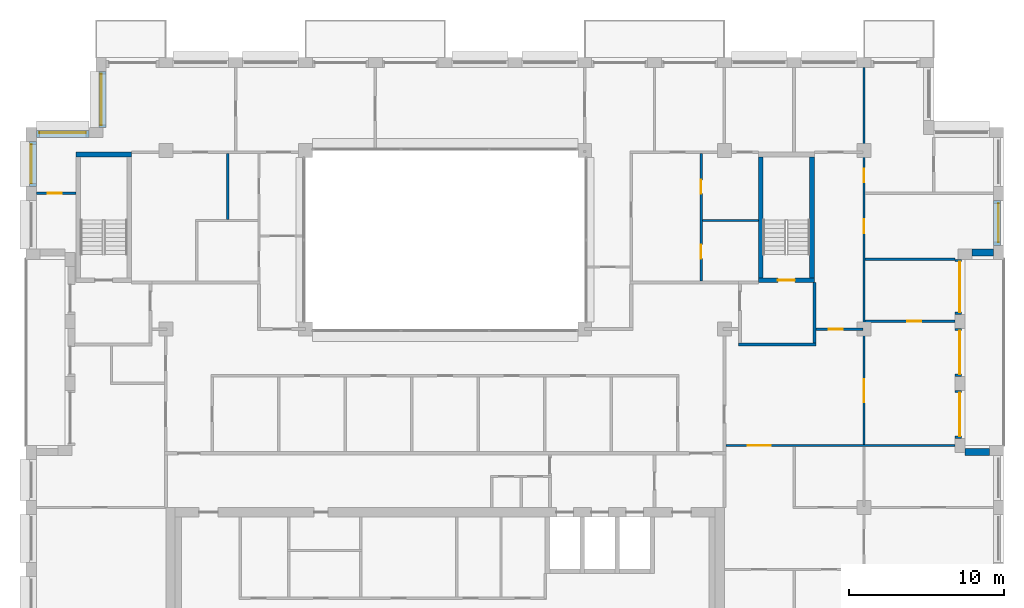
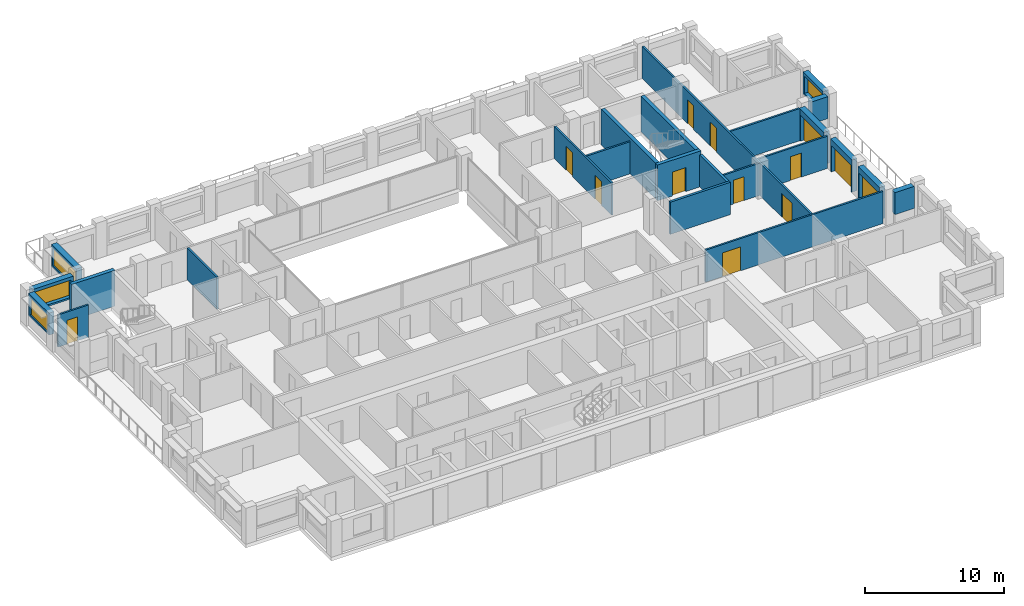
# One storey, part 12 of 15: 24 walls, 13 doors, 4 windows, 17 openings.
"""IFC4 building model written with IfcOpenShell, lengths in metres."""

import ifcopenshell
import ifcopenshell.guid

model = None  # the IFC model being written
_history = None  # IfcOwnerHistory: only IFC2X3 demands one
_inside = {}  # id of a spatial element -> (the spatial element, [elements in it])
_under = {}  # id of a project, library or spatial element -> (it, [spatial elements below it])
_declared = {}  # id of a project -> (the project, [libraries it declares])
_typed = {}  # id of a type object -> (the type object, [elements of that type])
_made_of = {}  # id of a material, layer set ... -> (it, [elements and type objects made of it])


def new_model(schema):
    """Start an empty IFC model of exactly this schema.

    Asked for "IFC4X3", IfcOpenShell would pick the latest addendum, in which some entities
    have other attributes; the version numbers below select the first issue.
    IFC2X3 requires an IfcOwnerHistory on every rooted entity: one is made here for all.
    """
    global model, _history
    if schema == "IFC4X3":
        model = ifcopenshell.file(schema_version=(4, 3, 0, 0))
    else:
        model = ifcopenshell.file(schema=schema)
    _inside.clear()
    _under.clear()
    _declared.clear()
    _typed.clear()
    _made_of.clear()
    _history = None
    if model.schema == "IFC2X3":
        org = make("IfcOrganization", Name="unknown")
        user = make(
            "IfcPersonAndOrganization",
            ThePerson=make("IfcPerson", FamilyName="unknown"),
            TheOrganization=org,
        )
        app = make(
            "IfcApplication",
            ApplicationDeveloper=org,
            Version="unknown",
            ApplicationFullName="unknown",
            ApplicationIdentifier="unknown",
        )
        _history = make(
            "IfcOwnerHistory",
            OwningUser=user,
            OwningApplication=app,
            ChangeAction="ADDED",
            CreationDate=0,
        )
    return model


def make(cls, **values):
    """One entity of the class cls with the attributes given. An attribute that is None is left unset."""
    return model.create_entity(
        cls, **{name: value for name, value in values.items() if value is not None}
    )


def rooted(cls, **values):
    """An entity with a GlobalId (a new one), such as an element, a storey or a relation."""
    return make(cls, GlobalId=ifcopenshell.guid.new(), OwnerHistory=_history, **values)


def si_unit(unit_type, name, prefix=None):
    """IfcSIUnit, for example si_unit("LENGTHUNIT", "METRE", prefix="MILLI")."""
    return make("IfcSIUnit", UnitType=unit_type, Prefix=prefix, Name=name)


def assignment(units):
    """IfcUnitAssignment: the units of a project."""
    return None if units is None else make("IfcUnitAssignment", Units=units)


def point(xyz):
    """IfcCartesianPoint."""
    return None if xyz is None else make("IfcCartesianPoint", Coordinates=xyz)


def direction(xyz):
    """IfcDirection."""
    return None if xyz is None else make("IfcDirection", DirectionRatios=xyz)


def frame(location, z_axis=None, x_axis=None):
    """IfcAxis2Placement3D, a coordinate frame: its origin and axes. An axis left out is left unset."""
    return make(
        "IfcAxis2Placement3D",
        Location=point(location),
        Axis=direction(z_axis),
        RefDirection=direction(x_axis),
    )


def frame_2d(location, x_axis=None):
    """IfcAxis2Placement2D, a coordinate frame in the plane: its origin and x axis."""
    return make(
        "IfcAxis2Placement2D", Location=point(location), RefDirection=direction(x_axis)
    )


def origin():
    """The frame at (0, 0, 0) with its axes left unset."""
    return frame((0.0, 0.0, 0.0))


def place(relative_to, where):
    """IfcLocalPlacement: puts the frame where relative to a parent placement (None: the world)."""
    return make(
        "IfcLocalPlacement", PlacementRelTo=relative_to, RelativePlacement=where
    )


def context(
    kind, dimensions, precision=None, world=None, true_north=None, identifier=None
):
    """IfcGeometricRepresentationContext, for example the 3D "Model" context."""
    return make(
        "IfcGeometricRepresentationContext",
        ContextIdentifier=identifier,
        ContextType=kind,
        CoordinateSpaceDimension=dimensions,
        Precision=precision,
        WorldCoordinateSystem=world,
        TrueNorth=true_north,
    )


def subcontext(parent, identifier, kind, view, scale=None):
    """IfcGeometricRepresentationSubContext, for example "Body" below "Model"."""
    return make(
        "IfcGeometricRepresentationSubContext",
        ContextIdentifier=identifier,
        ContextType=kind,
        ParentContext=parent,
        TargetScale=scale,
        TargetView=view,
    )


def project(units=None, contexts=None):
    """IfcProject with its units and contexts."""
    return rooted(
        "IfcProject",
        Name="project",
        RepresentationContexts=contexts,
        UnitsInContext=assignment(units),
    )


def spatial(cls, under=None, at=None, **own):
    """A site, building, storey or space (cls), placed at a placement, below another one or the project."""
    s = rooted(cls, ObjectPlacement=at, **own)
    if under is not None:
        _under.setdefault(under.id(), (under, []))[1].append(s)
    return s


def profile(cls, at=None, kind="AREA", **sizes):
    """A parametric profile (cls). Its sizes go by their IFC names, for example OverallWidth=200.0."""
    return make(cls, ProfileType=kind, Position=at, **sizes)


def rectangle(**sizes):
    """IfcRectangleProfileDef."""
    return profile("IfcRectangleProfileDef", **sizes)


def extrude(swept, where, along, depth):
    """IfcExtrudedAreaSolid: the profile swept, set in the frame where, extruded along a direction by depth."""
    return make(
        "IfcExtrudedAreaSolid",
        SweptArea=swept,
        Position=where,
        ExtrudedDirection=direction(along),
        Depth=depth,
    )


def shape(context_of_items, identifier, shape_type, items):
    """IfcShapeRepresentation: the items that make up one representation, for example the "Body"."""
    return make(
        "IfcShapeRepresentation",
        ContextOfItems=context_of_items,
        RepresentationIdentifier=identifier,
        RepresentationType=shape_type,
        Items=items,
    )


def material(Name=None, Category=None):
    """IfcMaterial."""
    return make("IfcMaterial", Name=Name, Category=Category)


def layer(
    of_material, thickness, ventilated=None, Name=None, Category=None, Priority=None
):
    """IfcMaterialLayer: one layer of a wall or slab, of a material (None: an air gap)."""
    return make(
        "IfcMaterialLayer",
        Material=of_material,
        LayerThickness=thickness,
        IsVentilated=ventilated,
        Name=Name,
        Category=Category,
        Priority=Priority,
    )


def layer_set(layers, Name=None):
    """IfcMaterialLayerSet."""
    return make("IfcMaterialLayerSet", MaterialLayers=layers, LayerSetName=Name)


def made_of(thing, what):
    """Note that an element or type object is made of a material, layer set ...; save() writes the relation."""
    if what is not None:
        _made_of.setdefault(what.id(), (what, []))[1].append(thing)
    return thing


def type_object(cls, material=None, **own):
    """A type object (cls), such as IfcWallType, which elements share."""
    return made_of(rooted(cls, **own), material)


def element(
    cls,
    number,
    at=None,
    inside=None,
    cuts=None,
    type_object=None,
    material=None,
    context=None,
    identifier="Body",
    shape_type=None,
    held_by="IfcProductDefinitionShape",
    body=None,
    shapes=None,
    **own,
):
    """One element of the class cls, such as IfcWall. Its Tag is "e" and its number.

    at: its placement. inside: the storey or other place that contains it. cuts: it is an
    opening in that element (IfcRelVoidsElement). A single representation is given by context,
    identifier, shape_type and body (its items); several are given by shapes. held_by: the class
    of the entity that holds the representations. save() writes the other relations.
    """
    e = rooted(cls, Tag="e%d" % number, ObjectPlacement=at, **own)
    if body is not None:
        shapes = [shape(context, identifier, shape_type, body)]
    if shapes is not None:
        e.Representation = make(held_by, Representations=shapes)
    if inside is not None:
        _inside.setdefault(inside.id(), (inside, []))[1].append(e)
    if cuts is not None:
        rooted(
            "IfcRelVoidsElement", RelatingBuildingElement=cuts, RelatedOpeningElement=e
        )
    if type_object is not None:
        _typed.setdefault(type_object.id(), (type_object, []))[1].append(e)
    return made_of(e, material)


def fill(opening, filler):
    """IfcRelFillsElement: the door or window that sits in an opening."""
    return rooted(
        "IfcRelFillsElement",
        RelatingOpeningElement=opening,
        RelatedBuildingElement=filler,
    )


def aggregate(whole, parts):
    """IfcRelAggregates: a whole, such as a stair, and the parts it consists of."""
    return rooted("IfcRelAggregates", RelatingObject=whole, RelatedObjects=parts)


def save(model, path):
    """Write the relations noted so far, then the file.

    IfcRelAggregates (storeys below a building ...), IfcRelContainedInSpatialStructure (elements
    in a storey), IfcRelDefinesByType, IfcRelAssociatesMaterial and IfcRelDeclares: one each for
    every whole, place, type object, material and project.
    """
    for whole, parts in _under.values():
        aggregate(whole, parts)
    for where, things in _inside.values():
        rooted(
            "IfcRelContainedInSpatialStructure",
            RelatedElements=things,
            RelatingStructure=where,
        )
    for kind, things in _typed.values():
        rooted("IfcRelDefinesByType", RelatedObjects=things, RelatingType=kind)
    for what, things in _made_of.values():
        rooted("IfcRelAssociatesMaterial", RelatedObjects=things, RelatingMaterial=what)
    for by, libraries in _declared.values():
        rooted("IfcRelDeclares", RelatingContext=by, RelatedDefinitions=libraries)
    model.write(path)


model = new_model("IFC4")

# Units and contexts
model_context = context("Model", 3, precision=1e-05, world=origin(), true_north=direction((0.0, 1.0)))
body_context = subcontext(model_context, "Body", "Model", "MODEL_VIEW")
ifc_project = project(units=[si_unit("LENGTHUNIT", "METRE"), si_unit("AREAUNIT", "SQUARE_METRE"), si_unit("VOLUMEUNIT", "CUBIC_METRE"), si_unit("PLANEANGLEUNIT", "RADIAN"), si_unit("MASSUNIT", "GRAM", prefix="KILO")], contexts=[model_context])

# Site, building, storey
site_placement = place(None, origin())
site = spatial("IfcSite", under=ifc_project, at=site_placement, CompositionType="ELEMENT")
building_placement = place(site_placement, origin())
building = spatial("IfcBuilding", under=site, at=building_placement, Name="Brigalow Station Residences", CompositionType="ELEMENT")
storey_placement = place(building_placement, frame((0.0, 0.0, 220.050048828125)))
storey = spatial("IfcBuildingStorey", under=building, at=storey_placement, Name="L63", CompositionType="ELEMENT", Elevation=220.050048828125)

# Wall
ifc_material_1 = material(Name="Clay brick masonry", Category="masonry")
ifc_layer_1 = layer(ifc_material_1, 0.449951171875)
ifc_layer_set_1 = layer_set([ifc_layer_1], Name="BRICK INFILL WALL 450")
wall_type_1 = type_object("IfcWallType", Name="BRICK INFILL WALL 450", PredefinedType="SOLIDWALL", material=ifc_layer_set_1)
wall_1_placement = place(storey_placement, frame((71.10009765625, 16.074951171875, 0.89990234375), z_axis=(0.0, 0.0, 1.0), x_axis=(-1.0, 0.0, 0.0)))
element("IfcWall", 1, at=wall_1_placement, inside=storey, type_object=wall_type_1, Name="L63/ewall/W-L63-11", PredefinedType="SOLIDWALL", context=body_context, shape_type="SweptSolid", body=[
    extrude(rectangle(XDim=1.60009765625, YDim=0.449951171875, at=frame_2d((0.800048828125, 0.0))), origin(), (0.0, 0.0, 1.0), 1.929931640625),
])

# Wall, opening, door
wall_2_placement = place(storey_placement, frame((69.074951171875, 16.949951171875, 0.0), z_axis=(0.0, 0.0, 1.0), x_axis=(0.0, 1.0, 0.0)))
wall_2 = element("IfcWall", 2, at=wall_2_placement, inside=storey, type_object=wall_type_1, Name="L63/ewall/W-L63-12", PredefinedType="SOLIDWALL", context=body_context, shape_type="SweptSolid", body=[
    extrude(rectangle(XDim=3.10009765625, YDim=0.449951171875, at=frame_2d((1.550048828125, 0.0))), origin(), (0.0, 0.0, 1.0), 2.829833984375),
])
opening_1_placement = place(wall_2_placement, frame((0.14990234375, 0.0, 0.0)))
opening_1 = element("IfcOpeningElement", 3, at=opening_1_placement, cuts=wall_2, Name="Opening D-B2800", PredefinedType="OPENING", context=body_context, shape_type="SweptSolid", body=[
    extrude(rectangle(XDim=2.800048828125, YDim=2.300048828125, at=frame_2d((1.39990234375, 1.14990234375))), frame((0.0, 0.23486328125, 0.0), z_axis=(0.0, -1.0, 0.0), x_axis=(1.0, 0.0, 0.0)), (0.0, 0.0, 1.0), 0.469970703125),
])
ifc_material_2 = material(Name="Anodised aluminium frame with double glazing", Category="aluminium")
door_type_1 = type_object("IfcDoorType", Name="BALCONY SLIDING DOOR 2800x2300", OperationType="SLIDING_TO_LEFT", PredefinedType="DOOR", material=ifc_material_2)
door_1_placement = place(opening_1_placement, origin())
door_1 = element("IfcDoor", 4, at=door_1_placement, inside=storey, type_object=door_type_1, Name="L63/balcony-door/W-L63-12", OperationType="SLIDING_TO_LEFT", OverallHeight=2.300048828125, OverallWidth=2.800048828125, PredefinedType="DOOR", context=body_context, shape_type="SweptSolid", body=[
    extrude(rectangle(XDim=2.800048828125, YDim=2.300048828125, at=frame_2d((1.39990234375, 1.14990234375))), frame((0.0, -0.06982421875, 0.0), z_axis=(0.0, -1.0, 0.0), x_axis=(1.0, 0.0, 0.0)), (0.0, 0.0, 1.0), 0.050048828125),
])
fill(opening_1, door_1)

wall_3_placement = place(storey_placement, frame((69.074951171875, 20.949951171875, 0.0), z_axis=(0.0, 0.0, 1.0), x_axis=(0.0, 1.0, 0.0)))
wall_3 = element("IfcWall", 5, at=wall_3_placement, inside=storey, type_object=wall_type_1, Name="L63/ewall/W-L63-13", PredefinedType="SOLIDWALL", context=body_context, shape_type="SweptSolid", body=[
    extrude(rectangle(XDim=3.10009765625, YDim=0.449951171875, at=frame_2d((1.550048828125, 0.0))), origin(), (0.0, 0.0, 1.0), 2.829833984375),
])
opening_2_placement = place(wall_3_placement, frame((0.14990234375, 0.0, 0.0)))
opening_2 = element("IfcOpeningElement", 6, at=opening_2_placement, cuts=wall_3, Name="Opening D-B2800", PredefinedType="OPENING", context=body_context, shape_type="SweptSolid", body=[
    extrude(rectangle(XDim=2.800048828125, YDim=2.300048828125, at=frame_2d((1.39990234375, 1.14990234375))), frame((0.0, 0.23486328125, 0.0), z_axis=(0.0, -1.0, 0.0), x_axis=(1.0, 0.0, 0.0)), (0.0, 0.0, 1.0), 0.469970703125),
])
door_2_placement = place(opening_2_placement, origin())
door_2 = element("IfcDoor", 7, at=door_2_placement, inside=storey, type_object=door_type_1, Name="L63/balcony-door/W-L63-13", OperationType="SLIDING_TO_LEFT", OverallHeight=2.300048828125, OverallWidth=2.800048828125, PredefinedType="DOOR", context=body_context, shape_type="SweptSolid", body=[
    extrude(rectangle(XDim=2.800048828125, YDim=2.300048828125, at=frame_2d((1.39990234375, 1.14990234375))), frame((0.0, -0.06982421875, 0.0), z_axis=(0.0, -1.0, 0.0), x_axis=(1.0, 0.0, 0.0)), (0.0, 0.0, 1.0), 0.050048828125),
])
fill(opening_2, door_2)

wall_4_placement = place(storey_placement, frame((69.074951171875, 24.949951171875, 0.0), z_axis=(0.0, 0.0, 1.0), x_axis=(0.0, 1.0, 0.0)))
wall_4 = element("IfcWall", 8, at=wall_4_placement, inside=storey, type_object=wall_type_1, Name="L63/ewall/W-L63-14", PredefinedType="SOLIDWALL", context=body_context, shape_type="SweptSolid", body=[
    extrude(rectangle(XDim=3.550048828125, YDim=0.449951171875, at=frame_2d((1.77490234375, 0.0))), origin(), (0.0, 0.0, 1.0), 2.829833984375),
])
opening_3_placement = place(wall_4_placement, frame((0.14990234375, 0.0, 0.0)))
opening_3 = element("IfcOpeningElement", 9, at=opening_3_placement, cuts=wall_4, Name="Opening D-B3250", PredefinedType="OPENING", context=body_context, shape_type="SweptSolid", body=[
    extrude(rectangle(XDim=3.25, YDim=2.300048828125, at=frame_2d((1.625, 1.14990234375))), frame((0.0, 0.23486328125, 0.0), z_axis=(0.0, -1.0, 0.0), x_axis=(1.0, 0.0, 0.0)), (0.0, 0.0, 1.0), 0.469970703125),
])
ifc_material_3 = material(Name="Anodised aluminium frame with double glazing", Category="aluminium")
door_type_2 = type_object("IfcDoorType", Name="BALCONY SLIDING DOOR 3250x2300", OperationType="SLIDING_TO_LEFT", PredefinedType="DOOR", material=ifc_material_3)
door_3_placement = place(opening_3_placement, origin())
door_3 = element("IfcDoor", 10, at=door_3_placement, inside=storey, type_object=door_type_2, Name="L63/balcony-door/W-L63-14", OperationType="SLIDING_TO_LEFT", OverallHeight=2.300048828125, OverallWidth=3.25, PredefinedType="DOOR", context=body_context, shape_type="SweptSolid", body=[
    extrude(rectangle(XDim=3.25, YDim=2.300048828125, at=frame_2d((1.625, 1.14990234375))), frame((0.0, -0.06982421875, 0.0), z_axis=(0.0, -1.0, 0.0), x_axis=(1.0, 0.0, 0.0)), (0.0, 0.0, 1.0), 0.050048828125),
])
fill(opening_3, door_3)

# Wall
wall_5_placement = place(storey_placement, frame((69.949951171875, 28.925048828125, 0.89990234375), z_axis=(0.0, 0.0, 1.0), x_axis=(1.0, 0.0, 0.0)))
element("IfcWall", 11, at=wall_5_placement, inside=storey, type_object=wall_type_1, Name="L63/ewall/W-L63-15", PredefinedType="SOLIDWALL", context=body_context, shape_type="SweptSolid", body=[
    extrude(rectangle(XDim=1.400146484375, YDim=0.449951171875, at=frame_2d((0.7001953125, 0.0))), origin(), (0.0, 0.0, 1.0), 1.929931640625),
])

# Wall, opening, window
wall_6_placement = place(storey_placement, frame((71.574951171875, 29.39990234375, 0.89990234375), z_axis=(0.0, 0.0, 1.0), x_axis=(0.0, 1.0, 0.0)))
wall_6 = element("IfcWall", 12, at=wall_6_placement, inside=storey, type_object=wall_type_1, Name="L63/ewall/W-L63-16", PredefinedType="SOLIDWALL", context=body_context, shape_type="SweptSolid", body=[
    extrude(rectangle(XDim=2.900146484375, YDim=0.449951171875, at=frame_2d((1.4501953125, 0.0))), origin(), (0.0, 0.0, 1.0), 1.929931640625),
])
opening_4_placement = place(wall_6_placement, frame((0.199951171875, 0.0, 0.14990234375)))
opening_4 = element("IfcOpeningElement", 13, at=opening_4_placement, cuts=wall_6, Name="Opening WT-5", PredefinedType="OPENING", context=body_context, shape_type="SweptSolid", body=[
    extrude(rectangle(XDim=2.5, YDim=1.5, at=frame_2d((1.25, 0.75))), frame((0.0, 0.23486328125, 0.0), z_axis=(0.0, -1.0, 0.0), x_axis=(1.0, 0.0, 0.0)), (0.0, 0.0, 1.0), 0.469970703125),
])
ifc_material_4 = material(Name="Anodised aluminium frame with double glazing", Category="aluminium")
window_type_1 = type_object("IfcWindowType", Name="WINDOW 2500x1500", PartitioningType="SINGLE_PANEL", PredefinedType="WINDOW", material=ifc_material_4)
window_1_placement = place(opening_4_placement, origin())
window_1 = element("IfcWindow", 14, at=window_1_placement, inside=storey, type_object=window_type_1, Name="L63/window/W-L63-16", OverallHeight=1.5, OverallWidth=2.5, PartitioningType="SINGLE_PANEL", PredefinedType="WINDOW", context=body_context, shape_type="SweptSolid", body=[
    extrude(rectangle(XDim=2.5, YDim=1.5, at=frame_2d((1.25, 0.75))), frame((0.0, -0.06494140625, 0.0), z_axis=(0.0, -1.0, 0.0), x_axis=(1.0, 0.0, 0.0)), (0.0, 0.0, 1.0), 0.06005859375),
])
fill(opening_4, window_1)

wall_7_placement = place(storey_placement, frame((13.925048828125, 40.60009765625, 0.89990234375), z_axis=(0.0, 0.0, 1.0), x_axis=(0.0, -1.0, 0.0)))
wall_7 = element("IfcWall", 15, at=wall_7_placement, inside=storey, type_object=wall_type_1, Name="L63/ewall/W-L63-32", PredefinedType="SOLIDWALL", context=body_context, shape_type="SweptSolid", body=[
    extrude(rectangle(XDim=3.60009765625, YDim=0.449951171875, at=frame_2d((1.800048828125, 0.0))), origin(), (0.0, 0.0, 1.0), 1.929931640625),
])
opening_5_placement = place(wall_7_placement, frame((0.14990234375, 0.0, 0.14990234375)))
opening_5 = element("IfcOpeningElement", 16, at=opening_5_placement, cuts=wall_7, Name="Opening WT-10", PredefinedType="OPENING", context=body_context, shape_type="SweptSolid", body=[
    extrude(rectangle(XDim=3.300048828125, YDim=1.5, at=frame_2d((1.64990234375, 0.75))), frame((0.0, 0.23486328125, 0.0), z_axis=(0.0, -1.0, 0.0), x_axis=(1.0, 0.0, 0.0)), (0.0, 0.0, 1.0), 0.469970703125),
])
ifc_material_5 = material(Name="Anodised aluminium frame with double glazing", Category="aluminium")
window_type_2 = type_object("IfcWindowType", Name="WINDOW 3300x1500", PartitioningType="SINGLE_PANEL", PredefinedType="WINDOW", material=ifc_material_5)
window_2_placement = place(opening_5_placement, origin())
window_2 = element("IfcWindow", 17, at=window_2_placement, inside=storey, type_object=window_type_2, Name="L63/window/W-L63-32", OverallHeight=1.5, OverallWidth=3.300048828125, PartitioningType="SINGLE_PANEL", PredefinedType="WINDOW", context=body_context, shape_type="SweptSolid", body=[
    extrude(rectangle(XDim=3.300048828125, YDim=1.5, at=frame_2d((1.64990234375, 0.75))), frame((0.0, -0.06494140625, 0.0), z_axis=(0.0, -1.0, 0.0), x_axis=(1.0, 0.0, 0.0)), (0.0, 0.0, 1.0), 0.06005859375),
])
fill(opening_5, window_2)

wall_8_placement = place(storey_placement, frame((13.050048828125, 36.574951171875, 0.89990234375), z_axis=(0.0, 0.0, 1.0), x_axis=(-1.0, 0.0, 0.0)))
wall_8 = element("IfcWall", 18, at=wall_8_placement, inside=storey, type_object=wall_type_1, Name="L63/ewall/W-L63-33", PredefinedType="SOLIDWALL", context=body_context, shape_type="SweptSolid", body=[
    extrude(rectangle(XDim=3.400146484375, YDim=0.449951171875, at=frame_2d((1.7001953125, 0.0))), origin(), (0.0, 0.0, 1.0), 1.929931640625),
])
opening_6_placement = place(wall_8_placement, frame((0.199951171875, 0.0, 0.14990234375)))
opening_6 = element("IfcOpeningElement", 19, at=opening_6_placement, cuts=wall_8, Name="Opening WT-2", PredefinedType="OPENING", context=body_context, shape_type="SweptSolid", body=[
    extrude(rectangle(XDim=3.0, YDim=1.5, at=frame_2d((1.5, 0.75))), frame((0.0, 0.23486328125, 0.0), z_axis=(0.0, -1.0, 0.0), x_axis=(1.0, 0.0, 0.0)), (0.0, 0.0, 1.0), 0.469970703125),
])
ifc_material_6 = material(Name="Anodised aluminium frame with double glazing", Category="aluminium")
window_type_3 = type_object("IfcWindowType", Name="WINDOW 3000x1500", PartitioningType="SINGLE_PANEL", PredefinedType="WINDOW", material=ifc_material_6)
window_3_placement = place(opening_6_placement, origin())
window_3 = element("IfcWindow", 20, at=window_3_placement, inside=storey, type_object=window_type_3, Name="L63/window/W-L63-33", OverallHeight=1.5, OverallWidth=3.0, PartitioningType="SINGLE_PANEL", PredefinedType="WINDOW", context=body_context, shape_type="SweptSolid", body=[
    extrude(rectangle(XDim=3.0, YDim=1.5, at=frame_2d((1.5, 0.75))), frame((0.0, -0.06494140625, 0.0), z_axis=(0.0, -1.0, 0.0), x_axis=(1.0, 0.0, 0.0)), (0.0, 0.0, 1.0), 0.06005859375),
])
fill(opening_6, window_3)

wall_9_placement = place(storey_placement, frame((9.425048828125, 36.10009765625, 0.89990234375), z_axis=(0.0, 0.0, 1.0), x_axis=(0.0, -1.0, 0.0)))
wall_9 = element("IfcWall", 21, at=wall_9_placement, inside=storey, type_object=wall_type_1, Name="L63/ewall/W-L63-34", PredefinedType="SOLIDWALL", context=body_context, shape_type="SweptSolid", body=[
    extrude(rectangle(XDim=2.900146484375, YDim=0.449951171875, at=frame_2d((1.4501953125, 0.0))), origin(), (0.0, 0.0, 1.0), 1.929931640625),
])
opening_7_placement = place(wall_9_placement, frame((0.199951171875, 0.0, 0.14990234375)))
opening_7 = element("IfcOpeningElement", 22, at=opening_7_placement, cuts=wall_9, Name="Opening WT-5", PredefinedType="OPENING", context=body_context, shape_type="SweptSolid", body=[
    extrude(rectangle(XDim=2.5, YDim=1.5, at=frame_2d((1.25, 0.75))), frame((0.0, 0.23486328125, 0.0), z_axis=(0.0, -1.0, 0.0), x_axis=(1.0, 0.0, 0.0)), (0.0, 0.0, 1.0), 0.469970703125),
])
window_4_placement = place(opening_7_placement, origin())
window_4 = element("IfcWindow", 23, at=window_4_placement, inside=storey, type_object=window_type_1, Name="L63/window/W-L63-34", OverallHeight=1.5, OverallWidth=2.5, PartitioningType="SINGLE_PANEL", PredefinedType="WINDOW", context=body_context, shape_type="SweptSolid", body=[
    extrude(rectangle(XDim=2.5, YDim=1.5, at=frame_2d((1.25, 0.75))), frame((0.0, -0.06494140625, 0.0), z_axis=(0.0, -1.0, 0.0), x_axis=(1.0, 0.0, 0.0)), (0.0, 0.0, 1.0), 0.06005859375),
])
fill(opening_7, window_4)

# Wall
ifc_material_7 = material(Name="Concrete C50", Category="concrete")
ifc_layer_2 = layer(ifc_material_7, 0.300048828125)
ifc_layer_set_2 = layer_set([ifc_layer_2], Name="CORE SHEAR WALL 300 C50")
wall_type_2 = type_object("IfcWallType", Name="CORE SHEAR WALL 300 C50", PredefinedType="SHEAR", material=ifc_layer_set_2)
wall_10_placement = place(storey_placement, frame((12.199951171875, 35.25, 0.0), z_axis=(0.0, 0.0, 1.0), x_axis=(1.0, 0.0, 0.0)))
element("IfcWall", 24, at=wall_10_placement, inside=storey, type_object=wall_type_2, Name="CORE WALL ST-S1-N L63", PredefinedType="SHEAR", context=body_context, shape_type="SweptSolid", body=[
    extrude(rectangle(XDim=3.60009765625, YDim=0.300048828125, at=frame_2d((1.800048828125, 0.0))), origin(), (0.0, 0.0, 1.0), 3.14990234375),
])

# Wall, opening, door
wall_11_placement = place(storey_placement, frame((56.199951171875, 27.14990234375, 0.0), z_axis=(0.0, 0.0, 1.0), x_axis=(1.0, 0.0, 0.0)))
wall_11 = element("IfcWall", 25, at=wall_11_placement, inside=storey, type_object=wall_type_2, Name="CORE WALL ST-S3-S L63", PredefinedType="SHEAR", context=body_context, shape_type="SweptSolid", body=[
    extrude(rectangle(XDim=3.60009765625, YDim=0.300048828125, at=frame_2d((1.800048828125, 0.0))), origin(), (0.0, 0.0, 1.0), 3.14990234375),
])
opening_8_placement = place(wall_11_placement, frame((1.25, 0.0, 0.0)))
opening_8 = element("IfcOpeningElement", 26, at=opening_8_placement, cuts=wall_11, Name="Opening D-5018", PredefinedType="OPENING", context=body_context, shape_type="SweptSolid", body=[
    extrude(rectangle(XDim=1.10009765625, YDim=2.10009765625, at=frame_2d((0.550048828125, 1.050048828125))), frame((0.0, 0.16015625, 0.0), z_axis=(0.0, -1.0, 0.0), x_axis=(1.0, 0.0, 0.0)), (0.0, 0.0, 1.0), 0.320068359375),
])
ifc_material_8 = material(Name="Steel fire door leaf in steel frame", Category="steel")
door_type_3 = type_object("IfcDoorType", Name="STAIR DOOR 1100 x 2100 FD60S", OperationType="SINGLE_SWING_LEFT", PredefinedType="DOOR", material=ifc_material_8)
door_4_placement = place(opening_8_placement, origin())
door_4 = element("IfcDoor", 27, at=door_4_placement, inside=storey, type_object=door_type_3, Name="D-5018", OperationType="SINGLE_SWING_LEFT", OverallHeight=2.10009765625, OverallWidth=1.10009765625, PredefinedType="DOOR", context=body_context, shape_type="SweptSolid", body=[
    extrude(rectangle(XDim=1.10009765625, YDim=2.10009765625, at=frame_2d((0.550048828125, 1.050048828125))), frame((0.0, 0.02490234375, 0.0), z_axis=(0.0, -1.0, 0.0), x_axis=(1.0, 0.0, 0.0)), (0.0, 0.0, 1.0), 0.050048828125),
])
fill(opening_8, door_4)

# Walls
for number, where, z_axis, x_axis, name in (
    (28, (56.35009765625, 27.300048828125, 0.0), (0.0, 0.0, 1.0), (0.0, 1.0, 0.0), "CORE WALL ST-S3-W L63"),
    (29, (59.64990234375, 27.300048828125, 0.0), (0.0, 0.0, 1.0), (0.0, 1.0, 0.0), "CORE WALL ST-S3-E L63"),
):
    element("IfcWall", number, at=place(storey_placement, frame(where, z_axis=z_axis, x_axis=x_axis)), inside=storey, type_object=wall_type_2, Name=name, PredefinedType="SHEAR", context=body_context, shape_type="SweptSolid", body=[
        extrude(rectangle(XDim=7.800048828125, YDim=0.300048828125, at=frame_2d((3.89990234375, 0.0))), origin(), (0.0, 0.0, 1.0), 3.14990234375),
    ])
ifc_material_9 = material(Name="Concrete blockwork", Category="masonry")
ifc_layer_3 = layer(ifc_material_9, 0.199951171875)
ifc_layer_set_3 = layer_set([ifc_layer_3], Name="FIRE RATED CORE PARTITION 200")
wall_type_3 = type_object("IfcWallType", Name="FIRE RATED CORE PARTITION 200", PredefinedType="PARTITIONING", material=ifc_layer_set_3)
wall_12_placement = place(storey_placement, frame((54.89990234375, 23.0, 0.0), z_axis=(0.0, 0.0, 1.0), x_axis=(1.0, 0.0, 0.0)))
element("IfcWall", 30, at=wall_12_placement, inside=storey, type_object=wall_type_3, Name="PW-5024", PredefinedType="PARTITIONING", context=body_context, shape_type="SweptSolid", body=[
    extrude(rectangle(XDim=5.0, YDim=0.199951171875, at=frame_2d((2.5, 0.0))), origin(), (0.0, 0.0, 1.0), 2.829833984375),
])
wall_13_placement = place(storey_placement, frame((59.800048828125, 23.10009765625, 0.0), z_axis=(0.0, 0.0, 1.0), x_axis=(0.0, 1.0, 0.0)))
element("IfcWall", 31, at=wall_13_placement, inside=storey, type_object=wall_type_3, Name="PW-5037", PredefinedType="PARTITIONING", context=body_context, shape_type="SweptSolid", body=[
    extrude(rectangle(XDim=3.89990234375, YDim=0.199951171875, at=frame_2d((1.949951171875, 0.0))), origin(), (0.0, 0.0, 1.0), 2.829833984375),
])

# Wall, opening, door
ifc_material_10 = material(Name="Plasterboard on steel stud partition", Category="steel")
ifc_layer_4 = layer(ifc_material_10, 0.14990234375)
ifc_layer_set_4 = layer_set([ifc_layer_4], Name="FLAT PARTITION 150")
wall_type_4 = type_object("IfcWallType", Name="FLAT PARTITION 150", PredefinedType="PARTITIONING", material=ifc_layer_set_4)
wall_14_placement = place(storey_placement, frame((59.89990234375, 24.0, 0.0), z_axis=(0.0, 0.0, 1.0), x_axis=(1.0, 0.0, 0.0)))
wall_14 = element("IfcWall", 32, at=wall_14_placement, inside=storey, type_object=wall_type_4, Name="PW-4C02", PredefinedType="PARTITIONING", context=body_context, shape_type="SweptSolid", body=[
    extrude(rectangle(XDim=3.025146484375, YDim=0.14990234375, at=frame_2d((1.5126953125, 0.0))), origin(), (0.0, 0.0, 1.0), 2.829833984375),
])
opening_9_placement = place(wall_14_placement, frame((0.824951171875, 0.0, 0.0)))
opening_9 = element("IfcOpeningElement", 33, at=opening_9_placement, cuts=wall_14, Name="Opening D-4C32", PredefinedType="OPENING", context=body_context, shape_type="SweptSolid", body=[
    extrude(rectangle(XDim=0.89990234375, YDim=2.10009765625, at=frame_2d((0.449951171875, 1.050048828125))), frame((0.0, 0.0849609375, 0.0), z_axis=(0.0, -1.0, 0.0), x_axis=(1.0, 0.0, 0.0)), (0.0, 0.0, 1.0), 0.169921875),
])
ifc_material_11 = material(Name="Solid-core timber door leaf", Category="wood")
door_type_4 = type_object("IfcDoorType", Name="INTERNAL DOOR 900 x 2100", OperationType="SINGLE_SWING_LEFT", PredefinedType="DOOR", material=ifc_material_11)
door_5_placement = place(opening_9_placement, origin())
door_5 = element("IfcDoor", 34, at=door_5_placement, inside=storey, type_object=door_type_4, Name="D-4C32", OperationType="SINGLE_SWING_LEFT", OverallHeight=2.10009765625, OverallWidth=0.89990234375, PredefinedType="DOOR", context=body_context, shape_type="SweptSolid", body=[
    extrude(rectangle(XDim=0.89990234375, YDim=2.10009765625, at=frame_2d((0.449951171875, 1.050048828125))), frame((0.0, 0.02490234375, 0.0), z_axis=(0.0, -1.0, 0.0), x_axis=(1.0, 0.0, 0.0)), (0.0, 0.0, 1.0), 0.050048828125),
])
fill(opening_9, door_5)

# Wall
wall_15_placement = place(storey_placement, frame((52.574951171875, 31.0, 0.0), z_axis=(0.0, 0.0, 1.0), x_axis=(1.0, 0.0, 0.0)))
element("IfcWall", 35, at=wall_15_placement, inside=storey, type_object=wall_type_4, Name="PW-4C18", PredefinedType="PARTITIONING", context=body_context, shape_type="SweptSolid", body=[
    extrude(rectangle(XDim=3.625, YDim=0.14990234375, at=frame_2d((1.8125, 0.0))), origin(), (0.0, 0.0, 1.0), 2.829833984375),
])

# Wall, opening, door
wall_16_placement = place(storey_placement, frame((9.64990234375, 32.75, 0.0), z_axis=(0.0, 0.0, 1.0), x_axis=(1.0, 0.0, 0.0)))
wall_16 = element("IfcWall", 36, at=wall_16_placement, inside=storey, type_object=wall_type_4, Name="PW-4C19", PredefinedType="PARTITIONING", context=body_context, shape_type="SweptSolid", body=[
    extrude(rectangle(XDim=2.550048828125, YDim=0.14990234375, at=frame_2d((1.27490234375, 0.0))), origin(), (0.0, 0.0, 1.0), 2.829833984375),
])
opening_10_placement = place(wall_16_placement, frame((0.75, 0.0, 0.0)))
opening_10 = element("IfcOpeningElement", 37, at=opening_10_placement, cuts=wall_16, Name="Opening D-4C13", PredefinedType="OPENING", context=body_context, shape_type="SweptSolid", body=[
    extrude(rectangle(XDim=0.89990234375, YDim=2.10009765625, at=frame_2d((0.449951171875, 1.050048828125))), frame((0.0, 0.0849609375, 0.0), z_axis=(0.0, -1.0, 0.0), x_axis=(1.0, 0.0, 0.0)), (0.0, 0.0, 1.0), 0.169921875),
])
door_6_placement = place(opening_10_placement, frame((0.89990234375, 0.0, 0.0), z_axis=(0.0, 0.0, 1.0), x_axis=(-1.0, 0.0, 0.0)))
door_6 = element("IfcDoor", 38, at=door_6_placement, inside=storey, type_object=door_type_4, Name="D-4C13", OperationType="SINGLE_SWING_RIGHT", OverallHeight=2.10009765625, OverallWidth=0.89990234375, PredefinedType="DOOR", context=body_context, shape_type="SweptSolid", body=[
    extrude(rectangle(XDim=0.89990234375, YDim=2.10009765625, at=frame_2d((0.449951171875, 1.050048828125))), frame((0.0, 0.02490234375, 0.0), z_axis=(0.0, -1.0, 0.0), x_axis=(1.0, 0.0, 0.0)), (0.0, 0.0, 1.0), 0.050048828125),
])
fill(opening_10, door_6)

wall_17_placement = place(storey_placement, frame((54.10009765625, 16.5, 0.0), z_axis=(0.0, 0.0, 1.0), x_axis=(1.0, 0.0, 0.0)))
wall_17 = element("IfcWall", 39, at=wall_17_placement, inside=storey, type_object=wall_type_4, Name="PW-4C22", PredefinedType="PARTITIONING", context=body_context, shape_type="SweptSolid", body=[
    extrude(rectangle(XDim=14.75, YDim=0.14990234375, at=frame_2d((7.375, 0.0))), origin(), (0.0, 0.0, 1.0), 2.829833984375),
])
opening_11_placement = place(wall_17_placement, frame((1.39990234375, 0.0, 0.0)))
opening_11 = element("IfcOpeningElement", 40, at=opening_11_placement, cuts=wall_17, Name="Opening D-4C24", PredefinedType="OPENING", context=body_context, shape_type="SweptSolid", body=[
    extrude(rectangle(XDim=1.5, YDim=2.10009765625, at=frame_2d((0.75, 1.050048828125))), frame((0.0, 0.0849609375, 0.0), z_axis=(0.0, -1.0, 0.0), x_axis=(1.0, 0.0, 0.0)), (0.0, 0.0, 1.0), 0.169921875),
])
ifc_material_12 = material(Name="Solid-core timber door leaf", Category="wood")
door_type_5 = type_object("IfcDoorType", Name="INTERNAL DOUBLE DOOR 1500 x 2100", OperationType="DOUBLE_DOOR_SINGLE_SWING", PredefinedType="DOOR", material=ifc_material_12)
door_7_placement = place(opening_11_placement, frame((1.5, 0.0, 0.0), z_axis=(0.0, 0.0, 1.0), x_axis=(-1.0, 0.0, 0.0)))
door_7 = element("IfcDoor", 41, at=door_7_placement, inside=storey, type_object=door_type_5, Name="D-4C24", OperationType="DOUBLE_DOOR_SINGLE_SWING", OverallHeight=2.10009765625, OverallWidth=1.5, PredefinedType="DOOR", context=body_context, shape_type="SweptSolid", body=[
    extrude(rectangle(XDim=1.5, YDim=2.10009765625, at=frame_2d((0.75, 1.050048828125))), frame((0.0, 0.02490234375, 0.0), z_axis=(0.0, -1.0, 0.0), x_axis=(1.0, 0.0, 0.0)), (0.0, 0.0, 1.0), 0.050048828125),
])
fill(opening_11, door_7)

wall_18_placement = place(storey_placement, frame((63.074951171875, 24.5, 0.0), z_axis=(0.0, 0.0, 1.0), x_axis=(1.0, 0.0, 0.0)))
wall_18 = element("IfcWall", 42, at=wall_18_placement, inside=storey, type_object=wall_type_4, Name="PW-4C24", PredefinedType="PARTITIONING", context=body_context, shape_type="SweptSolid", body=[
    extrude(rectangle(XDim=5.775146484375, YDim=0.14990234375, at=frame_2d((2.8876953125, 0.0))), origin(), (0.0, 0.0, 1.0), 2.829833984375),
])
opening_12_placement = place(wall_18_placement, frame((2.699951171875, 0.0, 0.0)))
opening_12 = element("IfcOpeningElement", 43, at=opening_12_placement, cuts=wall_18, Name="Opening D-4C31", PredefinedType="OPENING", context=body_context, shape_type="SweptSolid", body=[
    extrude(rectangle(XDim=0.89990234375, YDim=2.10009765625, at=frame_2d((0.449951171875, 1.050048828125))), frame((0.0, 0.0849609375, 0.0), z_axis=(0.0, -1.0, 0.0), x_axis=(1.0, 0.0, 0.0)), (0.0, 0.0, 1.0), 0.169921875),
])
door_8_placement = place(opening_12_placement, origin())
door_8 = element("IfcDoor", 44, at=door_8_placement, inside=storey, type_object=door_type_4, Name="D-4C31", OperationType="SINGLE_SWING_RIGHT", OverallHeight=2.10009765625, OverallWidth=0.89990234375, PredefinedType="DOOR", context=body_context, shape_type="SweptSolid", body=[
    extrude(rectangle(XDim=0.89990234375, YDim=2.10009765625, at=frame_2d((0.449951171875, 1.050048828125))), frame((0.0, 0.02490234375, 0.0), z_axis=(0.0, -1.0, 0.0), x_axis=(1.0, 0.0, 0.0)), (0.0, 0.0, 1.0), 0.050048828125),
])
fill(opening_12, door_8)

# Walls
wall_19_placement = place(storey_placement, frame((63.074951171875, 28.5, 0.0), z_axis=(0.0, 0.0, 1.0), x_axis=(1.0, 0.0, 0.0)))
element("IfcWall", 45, at=wall_19_placement, inside=storey, type_object=wall_type_4, Name="PW-4C25", PredefinedType="PARTITIONING", context=body_context, shape_type="SweptSolid", body=[
    extrude(rectangle(XDim=5.775146484375, YDim=0.14990234375, at=frame_2d((2.8876953125, 0.0))), origin(), (0.0, 0.0, 1.0), 2.829833984375),
])
wall_20_placement = place(storey_placement, frame((22.0, 31.074951171875, 0.0), z_axis=(0.0, 0.0, 1.0), x_axis=(0.0, 1.0, 0.0)))
element("IfcWall", 46, at=wall_20_placement, inside=storey, type_object=wall_type_4, Name="PW-4C38", PredefinedType="PARTITIONING", context=body_context, shape_type="SweptSolid", body=[
    extrude(rectangle(XDim=4.25, YDim=0.14990234375, at=frame_2d((2.125, 0.0))), origin(), (0.0, 0.0, 1.0), 2.829833984375),
])

# Wall, openings, doors
wall_21_placement = place(storey_placement, frame((52.5, 27.10009765625, 0.0), z_axis=(0.0, 0.0, 1.0), x_axis=(0.0, 1.0, 0.0)))
wall_21 = element("IfcWall", 47, at=wall_21_placement, inside=storey, type_object=wall_type_4, Name="PW-4C44", PredefinedType="PARTITIONING", context=body_context, shape_type="SweptSolid", body=[
    extrude(rectangle(XDim=8.224853515625, YDim=0.14990234375, at=frame_2d((4.1123046875, 0.0))), origin(), (0.0, 0.0, 1.0), 2.829833984375),
])
opening_13_placement = place(wall_21_placement, frame((5.625, 0.0, 0.0)))
opening_13 = element("IfcOpeningElement", 48, at=opening_13_placement, cuts=wall_21, Name="Opening D-4C20", PredefinedType="OPENING", context=body_context, shape_type="SweptSolid", body=[
    extrude(rectangle(XDim=0.89990234375, YDim=2.10009765625, at=frame_2d((0.449951171875, 1.050048828125))), frame((0.0, 0.0849609375, 0.0), z_axis=(0.0, -1.0, 0.0), x_axis=(1.0, 0.0, 0.0)), (0.0, 0.0, 1.0), 0.169921875),
])
opening_14_placement = place(wall_21_placement, frame((1.449951171875, 0.0, 0.0)))
opening_14 = element("IfcOpeningElement", 49, at=opening_14_placement, cuts=wall_21, Name="Opening D-4C21", PredefinedType="OPENING", context=body_context, shape_type="SweptSolid", body=[
    extrude(rectangle(XDim=0.89990234375, YDim=2.10009765625, at=frame_2d((0.449951171875, 1.050048828125))), frame((0.0, 0.0849609375, 0.0), z_axis=(0.0, -1.0, 0.0), x_axis=(1.0, 0.0, 0.0)), (0.0, 0.0, 1.0), 0.169921875),
])
door_9_placement = place(opening_13_placement, origin())
door_9 = element("IfcDoor", 50, at=door_9_placement, inside=storey, type_object=door_type_4, Name="D-4C20", OperationType="SINGLE_SWING_RIGHT", OverallHeight=2.10009765625, OverallWidth=0.89990234375, PredefinedType="DOOR", context=body_context, shape_type="SweptSolid", body=[
    extrude(rectangle(XDim=0.89990234375, YDim=2.10009765625, at=frame_2d((0.449951171875, 1.050048828125))), frame((0.0, 0.02490234375, 0.0), z_axis=(0.0, -1.0, 0.0), x_axis=(1.0, 0.0, 0.0)), (0.0, 0.0, 1.0), 0.050048828125),
])
fill(opening_13, door_9)
door_10_placement = place(opening_14_placement, frame((0.89990234375, 0.0, 0.0), z_axis=(0.0, 0.0, 1.0), x_axis=(-1.0, 0.0, 0.0)))
door_10 = element("IfcDoor", 51, at=door_10_placement, inside=storey, type_object=door_type_4, Name="D-4C21", OperationType="SINGLE_SWING_RIGHT", OverallHeight=2.10009765625, OverallWidth=0.89990234375, PredefinedType="DOOR", context=body_context, shape_type="SweptSolid", body=[
    extrude(rectangle(XDim=0.89990234375, YDim=2.10009765625, at=frame_2d((0.449951171875, 1.050048828125))), frame((0.0, 0.02490234375, 0.0), z_axis=(0.0, -1.0, 0.0), x_axis=(1.0, 0.0, 0.0)), (0.0, 0.0, 1.0), 0.050048828125),
])
fill(opening_14, door_10)

wall_22_placement = place(storey_placement, frame((63.0, 16.574951171875, 0.0), z_axis=(0.0, 0.0, 1.0), x_axis=(0.0, 1.0, 0.0)))
wall_22 = element("IfcWall", 52, at=wall_22_placement, inside=storey, type_object=wall_type_4, Name="PW-4C50", PredefinedType="PARTITIONING", context=body_context, shape_type="SweptSolid", body=[
    extrude(rectangle(XDim=24.275146484375, YDim=0.14990234375, at=frame_2d((12.1376953125, 0.0))), origin(), (0.0, 0.0, 1.0), 2.829833984375),
])
opening_15_placement = place(wall_22_placement, frame((2.699951171875, 0.0, 0.0)))
opening_15 = element("IfcOpeningElement", 53, at=opening_15_placement, cuts=wall_22, Name="Opening D-4C30", PredefinedType="OPENING", context=body_context, shape_type="SweptSolid", body=[
    extrude(rectangle(XDim=1.5, YDim=2.10009765625, at=frame_2d((0.75, 1.050048828125))), frame((0.0, 0.0849609375, 0.0), z_axis=(0.0, -1.0, 0.0), x_axis=(1.0, 0.0, 0.0)), (0.0, 0.0, 1.0), 0.169921875),
])
opening_16_placement = place(wall_22_placement, frame((13.60009765625, 0.0, 0.0)))
opening_16 = element("IfcOpeningElement", 54, at=opening_16_placement, cuts=wall_22, Name="Opening D-4C33", PredefinedType="OPENING", context=body_context, shape_type="SweptSolid", body=[
    extrude(rectangle(XDim=0.89990234375, YDim=2.10009765625, at=frame_2d((0.449951171875, 1.050048828125))), frame((0.0, 0.0849609375, 0.0), z_axis=(0.0, -1.0, 0.0), x_axis=(1.0, 0.0, 0.0)), (0.0, 0.0, 1.0), 0.169921875),
])
opening_17_placement = place(wall_22_placement, frame((16.875, 0.0, 0.0)))
opening_17 = element("IfcOpeningElement", 55, at=opening_17_placement, cuts=wall_22, Name="Opening D-4C34", PredefinedType="OPENING", context=body_context, shape_type="SweptSolid", body=[
    extrude(rectangle(XDim=0.89990234375, YDim=2.10009765625, at=frame_2d((0.449951171875, 1.050048828125))), frame((0.0, 0.0849609375, 0.0), z_axis=(0.0, -1.0, 0.0), x_axis=(1.0, 0.0, 0.0)), (0.0, 0.0, 1.0), 0.169921875),
])
door_11_placement = place(opening_16_placement, frame((0.89990234375, 0.0, 0.0), z_axis=(0.0, 0.0, 1.0), x_axis=(-1.0, 0.0, 0.0)))
door_11 = element("IfcDoor", 56, at=door_11_placement, inside=storey, type_object=door_type_4, Name="D-4C33", OperationType="SINGLE_SWING_RIGHT", OverallHeight=2.10009765625, OverallWidth=0.89990234375, PredefinedType="DOOR", context=body_context, shape_type="SweptSolid", body=[
    extrude(rectangle(XDim=0.89990234375, YDim=2.10009765625, at=frame_2d((0.449951171875, 1.050048828125))), frame((0.0, 0.02490234375, 0.0), z_axis=(0.0, -1.0, 0.0), x_axis=(1.0, 0.0, 0.0)), (0.0, 0.0, 1.0), 0.050048828125),
])
fill(opening_16, door_11)
door_12_placement = place(opening_17_placement, frame((0.89990234375, 0.0, 0.0), z_axis=(0.0, 0.0, 1.0), x_axis=(-1.0, 0.0, 0.0)))
door_12 = element("IfcDoor", 57, at=door_12_placement, inside=storey, type_object=door_type_4, Name="D-4C34", OperationType="SINGLE_SWING_RIGHT", OverallHeight=2.10009765625, OverallWidth=0.89990234375, PredefinedType="DOOR", context=body_context, shape_type="SweptSolid", body=[
    extrude(rectangle(XDim=0.89990234375, YDim=2.10009765625, at=frame_2d((0.449951171875, 1.050048828125))), frame((0.0, 0.02490234375, 0.0), z_axis=(0.0, -1.0, 0.0), x_axis=(1.0, 0.0, 0.0)), (0.0, 0.0, 1.0), 0.050048828125),
])
fill(opening_17, door_12)
door_13_placement = place(opening_15_placement, frame((1.5, 0.0, 0.0), z_axis=(0.0, 0.0, 1.0), x_axis=(-1.0, 0.0, 0.0)))
door_13 = element("IfcDoor", 58, at=door_13_placement, inside=storey, type_object=door_type_5, Name="D-4C30", OperationType="DOUBLE_DOOR_SINGLE_SWING", OverallHeight=2.10009765625, OverallWidth=1.5, PredefinedType="DOOR", context=body_context, shape_type="SweptSolid", body=[
    extrude(rectangle(XDim=1.5, YDim=2.10009765625, at=frame_2d((0.75, 1.050048828125))), frame((0.0, 0.02490234375, 0.0), z_axis=(0.0, -1.0, 0.0), x_axis=(1.0, 0.0, 0.0)), (0.0, 0.0, 1.0), 0.050048828125),
])
fill(opening_15, door_13)

save(model, "model.ifc")
